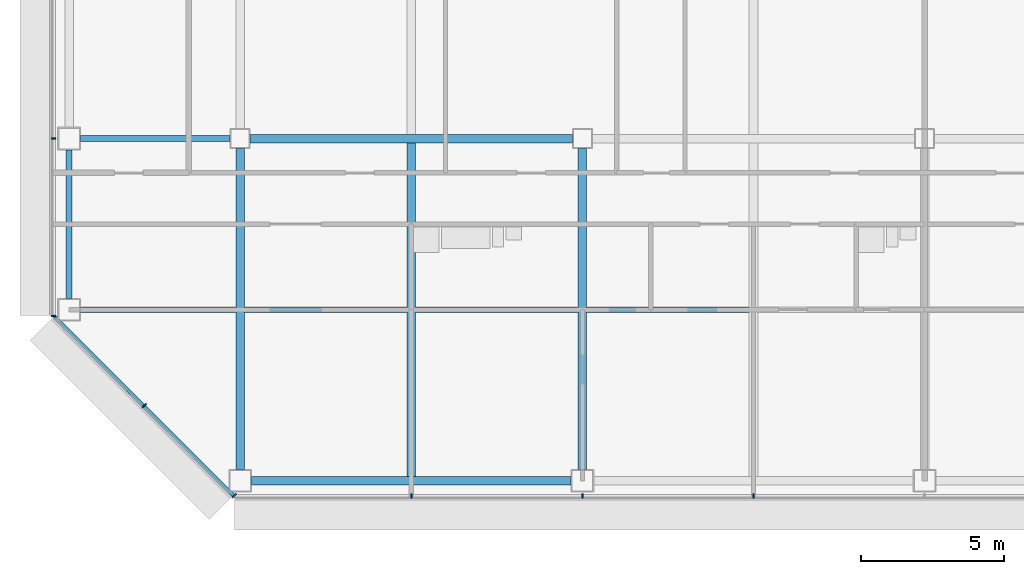
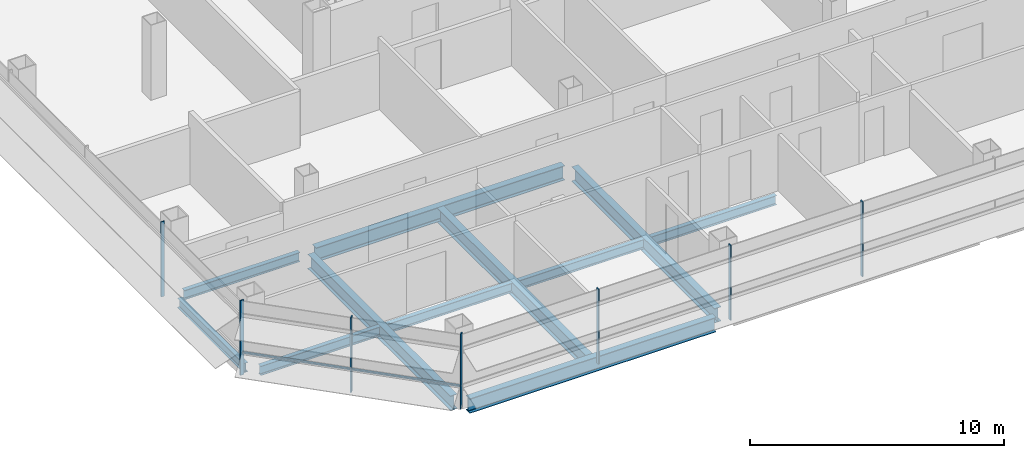
# One storey, part 2 of 25: 11 beams, 8 members, 3 elements without a shape of their own.
"""IFC4 building model written with IfcOpenShell, lengths in metres."""

from ifc_helpers import new_model, si_unit, direction, frame, origin, origin_2d, place, context, subcontext, project, spatial, rectangle, i_section, extrude, material, material_profile, profile_set, type_object, element, aggregate, save


model = new_model("IFC4")

# Units and contexts
model_context = context("Model", 3, precision=1e-05, world=origin(), true_north=direction((0.0, 1.0)))
body_context = subcontext(model_context, "Body", "Model", "MODEL_VIEW")
ifc_project = project(units=[si_unit("LENGTHUNIT", "METRE"), si_unit("AREAUNIT", "SQUARE_METRE"), si_unit("VOLUMEUNIT", "CUBIC_METRE"), si_unit("PLANEANGLEUNIT", "RADIAN"), si_unit("MASSUNIT", "GRAM", prefix="KILO")], contexts=[model_context])

# Site, building, storey
site_placement = place(None, origin())
site = spatial("IfcSite", under=ifc_project, at=site_placement, CompositionType="ELEMENT")
building_placement = place(site_placement, origin())
building = spatial("IfcBuilding", under=site, at=building_placement, Name="Sorahane Residences", CompositionType="ELEMENT")
storey_placement = place(building_placement, frame((0.0, 0.0, 143.800048828125)))
storey = spatial("IfcBuildingStorey", under=building, at=storey_placement, Name="L32", CompositionType="ELEMENT", Elevation=143.800048828125)

# Curtain wall, members
ifc_material_1 = material(Name="Dark low-e glass and black anodised aluminium", Category="aluminium")
curtain_wall_type_1 = type_object("IfcCurtainWallType", Name="Curtain wall CW-1 Typical unitised wall", PredefinedType="NOTDEFINED", material=ifc_material_1)
curtain_wall_1_placement = place(storey_placement, origin())
curtain_wall_1 = element("IfcCurtainWall", 1, at=curtain_wall_1_placement, inside=storey, type_object=curtain_wall_type_1, Name="CW-1 curtain wall L32 S1", PredefinedType="NOTDEFINED")
ifc_material_2 = material(Name="Black anodised aluminium", Category="aluminium")
ifc_material_profile_1 = material_profile(ifc_material_2, rectangle(XDim=0.159912109375, YDim=0.050048828125, at=origin_2d()), Name="Curtain wall mullion CW-1 black anodised aluminium 50x160")
ifc_profile_set_1 = profile_set([ifc_material_profile_1], Name="Black anodised aluminium")
member_type_1 = type_object("IfcMemberType", Name="Curtain wall mullion CW-1 black anodised aluminium 50x160", PredefinedType="MULLION", material=ifc_profile_set_1)
member_1_placement = place(storey_placement, frame((6.0, -0.5400390625, -0.179931640625), z_axis=(0.0, 0.0, 1.0), x_axis=(0.0, -1.0, 0.0)))
member_1 = element("IfcMember", 2, at=member_1_placement, type_object=member_type_1, Name="CW-1 mullion L32 S1.2", PredefinedType="MULLION", context=body_context, shape_type="SweptSolid", body=[
    extrude(rectangle(XDim=0.159912109375, YDim=0.050048828125, at=origin_2d()), origin(), (0.0, 0.0, 1.0), 3.599853515625),
])
member_2_placement = place(storey_placement, frame((12.0, -0.5400390625, -0.179931640625), z_axis=(0.0, 0.0, 1.0), x_axis=(0.0, -1.0, 0.0)))
member_2 = element("IfcMember", 3, at=member_2_placement, type_object=member_type_1, Name="CW-1 mullion L32 S1.3", PredefinedType="MULLION", context=body_context, shape_type="SweptSolid", body=[
    extrude(rectangle(XDim=0.159912109375, YDim=0.050048828125, at=origin_2d()), origin(), (0.0, 0.0, 1.0), 3.599853515625),
])
member_3_placement = place(storey_placement, frame((18.0, -0.5400390625, -0.179931640625), z_axis=(0.0, 0.0, 1.0), x_axis=(0.0, -1.0, 0.0)))
member_3 = element("IfcMember", 4, at=member_3_placement, type_object=member_type_1, Name="CW-1 mullion L32 S1.4", PredefinedType="MULLION", context=body_context, shape_type="SweptSolid", body=[
    extrude(rectangle(XDim=0.159912109375, YDim=0.050048828125, at=origin_2d()), origin(), (0.0, 0.0, 1.0), 3.599853515625),
])
aggregate(curtain_wall_1, [member_1, member_2, member_3])

curtain_wall_2_placement = place(storey_placement, origin())
curtain_wall_2 = element("IfcCurtainWall", 5, at=curtain_wall_2_placement, inside=storey, type_object=curtain_wall_type_1, Name="CW-1 curtain wall L32 W1", PredefinedType="NOTDEFINED")
member_4_placement = place(storey_placement, frame((-6.5400390625, 12.0, -0.179931640625), z_axis=(0.0, 0.0, 1.0), x_axis=(-1.0, 0.0, 0.0)))
member_4 = element("IfcMember", 6, at=member_4_placement, type_object=member_type_1, Name="CW-1 mullion L32 W1.6", PredefinedType="MULLION", context=body_context, shape_type="SweptSolid", body=[
    extrude(rectangle(XDim=0.159912109375, YDim=0.050048828125, at=origin_2d()), origin(), (0.0, 0.0, 1.0), 3.599853515625),
])
member_5_placement = place(storey_placement, frame((-6.5400390625, 5.7763671875, -0.179931640625), z_axis=(0.0, 0.0, 1.0), x_axis=(-1.0, 0.0, 0.0)))
member_5 = element("IfcMember", 7, at=member_5_placement, type_object=member_type_1, Name="CW-1 mullion L32 W1.7", PredefinedType="MULLION", context=body_context, shape_type="SweptSolid", body=[
    extrude(rectangle(XDim=0.159912109375, YDim=0.050048828125, at=origin_2d()), origin(), (0.0, 0.0, 1.0), 3.599853515625),
])
aggregate(curtain_wall_2, [member_4, member_5])

ifc_material_3 = material(Name="Dark low-e glass and black anodised aluminium", Category="aluminium")
curtain_wall_type_2 = type_object("IfcCurtainWallType", Name="Curtain wall CW-2 Chamfer unitised wall", PredefinedType="NOTDEFINED", material=ifc_material_3)
curtain_wall_3_placement = place(storey_placement, origin())
curtain_wall_3 = element("IfcCurtainWall", 8, at=curtain_wall_3_placement, inside=storey, type_object=curtain_wall_type_2, Name="CW-2 curtain wall L32 SW1", PredefinedType="NOTDEFINED")
ifc_material_4 = material(Name="Black anodised aluminium", Category="aluminium")
ifc_material_profile_2 = material_profile(ifc_material_4, rectangle(XDim=0.199951171875, YDim=0.050048828125, at=origin_2d()), Name="Curtain wall mullion CW-2 black anodised aluminium 50x200")
ifc_profile_set_2 = profile_set([ifc_material_profile_2], Name="Black anodised aluminium")
member_type_2 = type_object("IfcMemberType", Name="Curtain wall mullion CW-2 black anodised aluminium 50x200", PredefinedType="MULLION", material=ifc_profile_set_2)
member_6_placement = place(storey_placement, frame((-3.36767578125, 2.63232421875, -0.179931640625), z_axis=(0.0, 0.0, 1.0), x_axis=(-0.707106781187, -0.707106781187, 0.0)))
member_6 = element("IfcMember", 9, at=member_6_placement, type_object=member_type_2, Name="CW-2 mullion L32 SW1.2", PredefinedType="MULLION", context=body_context, shape_type="SweptSolid", body=[
    extrude(rectangle(XDim=0.199951171875, YDim=0.050048828125, at=origin_2d()), origin(), (0.0, 0.0, 1.0), 3.599853515625),
])
member_7_placement = place(storey_placement, frame((-0.209716796875, -0.525634765625, -0.179931640625), z_axis=(0.0, 0.0, 1.0), x_axis=(-0.707106781187, -0.707106781187, 0.0)))
member_7 = element("IfcMember", 10, at=member_7_placement, type_object=member_type_2, Name="CW-2 mullion L32 SW1.3", PredefinedType="MULLION", context=body_context, shape_type="SweptSolid", body=[
    extrude(rectangle(XDim=0.199951171875, YDim=0.050048828125, at=origin_2d()), origin(), (0.0, 0.0, 1.0), 3.599853515625),
])
ifc_material_5 = material(Name="Black anodised aluminium", Category="aluminium")
ifc_material_profile_3 = material_profile(ifc_material_5, rectangle(XDim=0.10009765625, YDim=0.06005859375, at=origin_2d()), Name="Curtain wall transom CW-2 black anodised aluminium 60x100")
ifc_profile_set_3 = profile_set([ifc_material_profile_3], Name="Black anodised aluminium")
member_type_3 = type_object("IfcMemberType", Name="Curtain wall transom CW-2 black anodised aluminium 60x100", PredefinedType="USERDEFINED", material=ifc_profile_set_3)
member_8_placement = place(storey_placement, frame((-6.51513671875, 5.765625, 0.89990234375), z_axis=(0.707106781187, -0.707106781187, 0.0), x_axis=(0.707106781187, 0.707106781187, 0.0)))
member_8 = element("IfcMember", 11, at=member_8_placement, type_object=member_type_3, Name="CW-2 transom L32 SW1", ObjectType="TRANSOM", PredefinedType="USERDEFINED", context=body_context, shape_type="SweptSolid", body=[
    extrude(rectangle(XDim=0.10009765625, YDim=0.06005859375, at=origin_2d()), origin(), (0.0, 0.0, 1.0), 8.88232421875),
])
aggregate(curtain_wall_3, [member_6, member_7, member_8])

# Beams
ifc_material_6 = material(Name="Steel Q355B", Category="steel")
ifc_material_profile_4 = material_profile(ifc_material_6, i_section(OverallWidth=0.199951171875, OverallDepth=0.449951171875, WebThickness=0.009033203125, FlangeThickness=0.013916015625, FilletRadius=0.02001953125, at=origin_2d()), Name="HN 450x200x9x14")
ifc_profile_set_4 = profile_set([ifc_material_profile_4], Name="Steel Q355B")
beam_type_1 = type_object("IfcBeamType", Name="Steel floor beam HN 450x200x9x14 Q355B", PredefinedType="BEAM", material=ifc_profile_set_4)
beam_1_placement = place(storey_placement, frame((-5.60009765625, 12.0, -0.405029296875), z_axis=(1.0, 0.0, 0.0), x_axis=(0.0, 1.0, 0.0)))
element("IfcBeam", 12, at=beam_1_placement, inside=storey, type_object=beam_type_1, Name="Beam L32 005", PredefinedType="BEAM", context=body_context, shape_type="SweptSolid", body=[
    extrude(i_section(OverallWidth=0.199951171875, OverallDepth=0.449951171875, WebThickness=0.009033203125, FlangeThickness=0.013916015625, FilletRadius=0.02001953125, at=origin_2d()), origin(), (0.0, 0.0, 1.0), 5.25),
])
beam_2_placement = place(storey_placement, frame((-6.0, 6.39990234375, -0.405029296875), z_axis=(0.0, 1.0, 0.0), x_axis=(-1.0, 0.0, 0.0)))
element("IfcBeam", 13, at=beam_2_placement, inside=storey, type_object=beam_type_1, Name="Beam L32 020", PredefinedType="BEAM", context=body_context, shape_type="SweptSolid", body=[
    extrude(i_section(OverallWidth=0.199951171875, OverallDepth=0.449951171875, WebThickness=0.009033203125, FlangeThickness=0.013916015625, FilletRadius=0.02001953125, at=origin_2d()), origin(), (0.0, 0.0, 1.0), 5.2001953125),
])
beam_3_placement = place(storey_placement, frame((-5.60009765625, 6.0, -0.405029296875), z_axis=(1.0, 0.0, 0.0), x_axis=(0.0, 1.0, 0.0)))
element("IfcBeam", 14, at=beam_3_placement, inside=storey, type_object=beam_type_1, Name="Beam L32 068", PredefinedType="BEAM", context=body_context, shape_type="SweptSolid", body=[
    extrude(i_section(OverallWidth=0.199951171875, OverallDepth=0.449951171875, WebThickness=0.009033203125, FlangeThickness=0.013916015625, FilletRadius=0.02001953125, at=origin_2d()), origin(), (0.0, 0.0, 1.0), 5.4501953125),
])
for number, where, z_axis, x_axis, name in (
    (15, (0.14990234375, 6.0, -0.405029296875), (1.0, 0.0, 0.0), (0.0, 1.0, 0.0), "Beam L32 069"),
    (16, (6.14990234375, 6.0, -0.405029296875), (1.0, 0.0, 0.0), (0.0, 1.0, 0.0), "Beam L32 070"),
    (17, (12.14990234375, 6.0, -0.405029296875), (1.0, 0.0, 0.0), (0.0, 1.0, 0.0), "Beam L32 071"),
):
    element("IfcBeam", number, at=place(storey_placement, frame(where, z_axis=z_axis, x_axis=x_axis)), inside=storey, type_object=beam_type_1, Name=name, PredefinedType="BEAM", context=body_context, shape_type="SweptSolid", body=[
        extrude(i_section(OverallWidth=0.199951171875, OverallDepth=0.449951171875, WebThickness=0.009033203125, FlangeThickness=0.013916015625, FilletRadius=0.02001953125, at=origin_2d()), origin(), (0.0, 0.0, 1.0), 5.7001953125),
    ])
ifc_material_7 = material(Name="Steel Q355B", Category="steel")
ifc_material_profile_5 = material_profile(ifc_material_7, i_section(OverallWidth=0.300048828125, OverallDepth=0.699951171875, WebThickness=0.012939453125, FlangeThickness=0.02392578125, FilletRadius=0.028076171875, at=origin_2d()), Name="HN 700x300x13x24")
ifc_profile_set_5 = profile_set([ifc_material_profile_5], Name="Steel Q355B")
beam_type_2 = type_object("IfcBeamType", Name="Steel floor beam HN 700x300x13x24 Q355B", PredefinedType="BEAM", material=ifc_profile_set_5)
beam_4_placement = place(storey_placement, frame((0.39990234375, 0.0, -0.530029296875), z_axis=(1.0, 0.0, 0.0), x_axis=(0.0, 1.0, 0.0)))
element("IfcBeam", 18, at=beam_4_placement, inside=storey, type_object=beam_type_2, Name="Beam L32 000", PredefinedType="BEAM", context=body_context, shape_type="SweptSolid", body=[
    extrude(i_section(OverallWidth=0.300048828125, OverallDepth=0.699951171875, WebThickness=0.012939453125, FlangeThickness=0.02392578125, FilletRadius=0.028076171875, at=origin_2d()), origin(), (0.0, 0.0, 1.0), 11.2001953125),
])
beam_5_placement = place(storey_placement, frame((0.35009765625, 12.0, -0.530029296875), z_axis=(1.0, 0.0, 0.0), x_axis=(0.0, 1.0, 0.0)))
element("IfcBeam", 19, at=beam_5_placement, inside=storey, type_object=beam_type_2, Name="Beam L32 006", PredefinedType="BEAM", context=body_context, shape_type="SweptSolid", body=[
    extrude(i_section(OverallWidth=0.300048828125, OverallDepth=0.699951171875, WebThickness=0.012939453125, FlangeThickness=0.02392578125, FilletRadius=0.028076171875, at=origin_2d()), origin(), (0.0, 0.0, 1.0), 11.2998046875),
])
beam_6_placement = place(storey_placement, frame((0.0, 0.39990234375, -0.530029296875), z_axis=(0.0, 1.0, 0.0), x_axis=(-1.0, 0.0, 0.0)))
element("IfcBeam", 20, at=beam_6_placement, inside=storey, type_object=beam_type_2, Name="Beam L32 024", PredefinedType="BEAM", context=body_context, shape_type="SweptSolid", body=[
    extrude(i_section(OverallWidth=0.300048828125, OverallDepth=0.699951171875, WebThickness=0.012939453125, FlangeThickness=0.02392578125, FilletRadius=0.028076171875, at=origin_2d()), origin(), (0.0, 0.0, 1.0), 11.25),
])
beam_7_placement = place(storey_placement, frame((6.0, 0.14990234375, -0.530029296875), z_axis=(0.0, 1.0, 0.0), x_axis=(-1.0, 0.0, 0.0)))
element("IfcBeam", 21, at=beam_7_placement, inside=storey, type_object=beam_type_2, Name="Beam L32 028", PredefinedType="BEAM", context=body_context, shape_type="SweptSolid", body=[
    extrude(i_section(OverallWidth=0.300048828125, OverallDepth=0.699951171875, WebThickness=0.012939453125, FlangeThickness=0.02392578125, FilletRadius=0.028076171875, at=origin_2d()), origin(), (0.0, 0.0, 1.0), 11.7001953125),
])
beam_8_placement = place(storey_placement, frame((12.0, 0.39990234375, -0.530029296875), z_axis=(0.0, 1.0, 0.0), x_axis=(-1.0, 0.0, 0.0)))
element("IfcBeam", 22, at=beam_8_placement, inside=storey, type_object=beam_type_2, Name="Beam L32 034", PredefinedType="BEAM", context=body_context, shape_type="SweptSolid", body=[
    extrude(i_section(OverallWidth=0.300048828125, OverallDepth=0.699951171875, WebThickness=0.012939453125, FlangeThickness=0.02392578125, FilletRadius=0.028076171875, at=origin_2d()), origin(), (0.0, 0.0, 1.0), 11.25),
])

save(model, "model.ifc")
